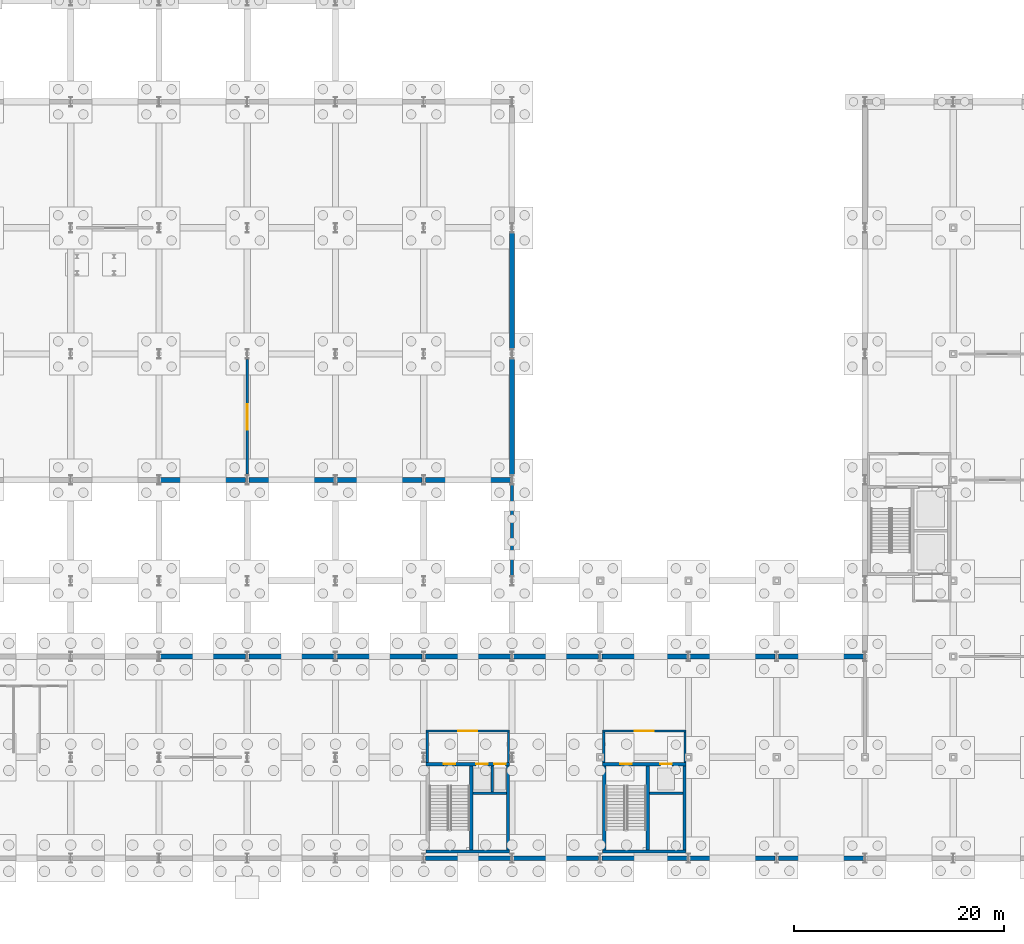
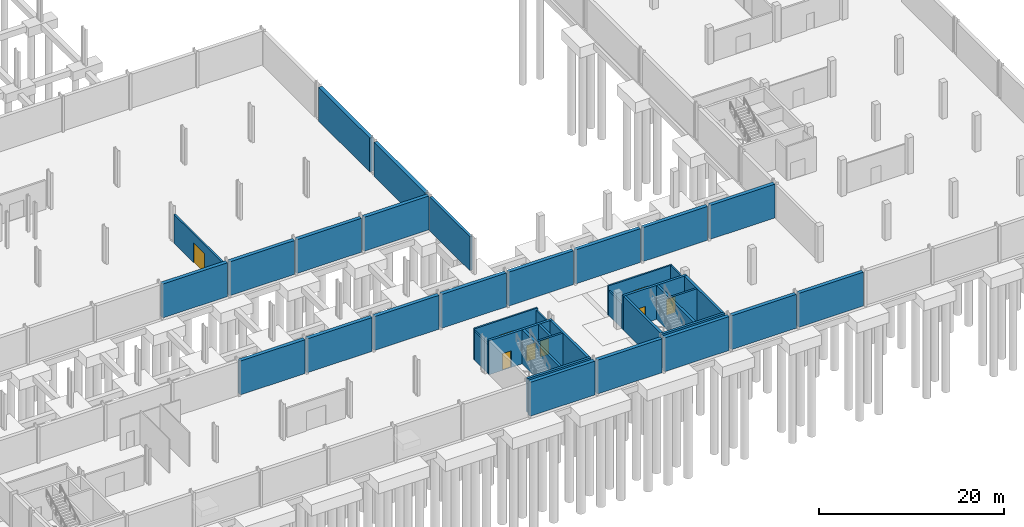
# One storey, part 21 of 29: 39 walls, 8 doors, 8 openings.
"""IFC4 building model written with IfcOpenShell, lengths in metres."""

from ifc_helpers import new_model, si_unit, direction, frame, frame_2d, origin, place, context, subcontext, project, spatial, rectangle, extrude, material, layer, layer_set, type_object, element, fill, save


model = new_model("IFC4")

# Units and contexts
model_context = context("Model", 3, precision=1e-05, world=origin(), true_north=direction((0.0, 1.0)))
body_context = subcontext(model_context, "Body", "Model", "MODEL_VIEW")
ifc_project = project(units=[si_unit("LENGTHUNIT", "METRE"), si_unit("AREAUNIT", "SQUARE_METRE"), si_unit("VOLUMEUNIT", "CUBIC_METRE"), si_unit("PLANEANGLEUNIT", "RADIAN"), si_unit("MASSUNIT", "GRAM", prefix="KILO")], contexts=[model_context])

# Site, building, storey
site_placement = place(None, origin())
site = spatial("IfcSite", under=ifc_project, at=site_placement, CompositionType="ELEMENT")
building_placement = place(site_placement, origin())
building = spatial("IfcBuilding", under=site, at=building_placement, Name="Veltarok Museum of Natural Sciences", CompositionType="ELEMENT")
storey_placement = place(building_placement, frame((0.0, 0.0, -4.800048828125)))
storey = spatial("IfcBuildingStorey", under=building, at=storey_placement, Name="B1", CompositionType="ELEMENT", Elevation=-4.800048828125)

# Wall, opening, door
ifc_material_1 = material(Name="Concrete C35/45", Category="concrete")
ifc_layer_1 = layer(ifc_material_1, 0.219970703125)
ifc_layer_set_1 = layer_set([ifc_layer_1], Name="Concrete C35/45")
wall_type_1 = type_object("IfcWallType", Name="Archive Compartment Partition 220", PredefinedType="PARTITIONING", material=ifc_layer_set_1)
wall_1_placement = place(storey_placement, frame((73.60009765625, 36.550048828125, 0.0), z_axis=(0.0, 0.0, 1.0), x_axis=(0.0, 1.0, 0.0)))
wall_1 = element("IfcWall", 1, at=wall_1_placement, inside=storey, type_object=wall_type_1, Name="Interior Partition B1-003", PredefinedType="PARTITIONING", context=body_context, shape_type="SweptSolid", body=[
    extrude(rectangle(XDim=10.89990234375, YDim=0.219970703125, at=frame_2d((5.449951171875, 0.0))), origin(), (0.0, 0.0, 1.0), 3.781982421875),
])
opening_1_placement = place(wall_1_placement, frame((4.25, 0.0, 0.0)))
opening_1 = element("IfcOpeningElement", 2, at=opening_1_placement, cuts=wall_1, Name="Opening D-B1-129", PredefinedType="OPENING", context=body_context, shape_type="SweptSolid", body=[
    extrude(rectangle(XDim=2.39990234375, YDim=2.60009765625, at=frame_2d((1.199951171875, 1.300048828125))), frame((0.0, 0.1201171875, 0.0), z_axis=(0.0, -1.0, 0.0), x_axis=(1.0, 0.0, 0.0)), (0.0, 0.0, 1.0), 0.239990234375),
])
ifc_material_2 = material(Name="Heavy fire-rated steel", Category="steel")
door_type_1 = type_object("IfcDoorType", Name="Archive Crate Double Vault Door 2400x2600", OperationType="NOTDEFINED", PredefinedType="DOOR", material=ifc_material_2)
door_1_placement = place(opening_1_placement, origin())
door_1 = element("IfcDoor", 3, at=door_1_placement, inside=storey, type_object=door_type_1, Name="Interior Door D-B1-129", OperationType="DOUBLE_DOOR_SINGLE_SWING", OverallHeight=2.60009765625, OverallWidth=2.39990234375, PredefinedType="DOOR", context=body_context, shape_type="SweptSolid", body=[
    extrude(rectangle(XDim=2.39990234375, YDim=2.60009765625, at=frame_2d((1.199951171875, 1.300048828125))), frame((0.0, 0.02490234375, 0.0), z_axis=(0.0, -1.0, 0.0), x_axis=(1.0, 0.0, 0.0)), (0.0, 0.0, 1.0), 0.050048828125),
])
fill(opening_1, door_1)

ifc_layer_2 = layer(ifc_material_1, 0.199951171875)
ifc_layer_set_2 = layer_set([ifc_layer_2], Name="Concrete C35/45")
wall_type_2 = type_object("IfcWallType", Name="Firefighting Lobby Compartment Wall 200", PredefinedType="SOLIDWALL", material=ifc_layer_set_2)
wall_2_placement = place(storey_placement, frame((90.6298828125, 12.10009765625, 0.0), z_axis=(0.0, 0.0, 1.0), x_axis=(1.0, 0.0, 0.0)))
wall_2 = element("IfcWall", 4, at=wall_2_placement, inside=storey, type_object=wall_type_2, Name="Firefighting Lobby Wall C2 B1 N", PredefinedType="SOLIDWALL", context=body_context, shape_type="SweptSolid", body=[
    extrude(rectangle(XDim=7.940185546875, YDim=0.199951171875, at=frame_2d((3.97021484375, 0.0))), origin(), (0.0, 0.0, 1.0), 4.132080078125),
])
opening_2_placement = place(wall_2_placement, frame((3.070068359375, 0.0, 0.0)))
opening_2 = element("IfcOpeningElement", 5, at=opening_2_placement, cuts=wall_2, Name="Opening D-B1-004", PredefinedType="OPENING", context=body_context, shape_type="SweptSolid", body=[
    extrude(rectangle(XDim=1.800048828125, YDim=2.199951171875, at=frame_2d((0.89990234375, 1.10009765625))), frame((0.0, 0.10986328125, 0.0), z_axis=(0.0, -1.0, 0.0), x_axis=(1.0, 0.0, 0.0)), (0.0, 0.0, 1.0), 0.219970703125),
])
ifc_material_3 = material(Name="Fire-rated steel and vision glass", Category="steel")
door_type_2 = type_object("IfcDoorType", Name="Fire Lobby Double Door 1800x2200", OperationType="NOTDEFINED", PredefinedType="DOOR", material=ifc_material_3)
door_2_placement = place(opening_2_placement, origin())
door_2 = element("IfcDoor", 6, at=door_2_placement, inside=storey, type_object=door_type_2, Name="Firefighting Lobby Entrance Door C2 B1", OperationType="DOUBLE_DOOR_SINGLE_SWING", OverallHeight=2.199951171875, OverallWidth=1.800048828125, PredefinedType="DOOR", context=body_context, shape_type="SweptSolid", body=[
    extrude(rectangle(XDim=1.800048828125, YDim=2.199951171875, at=frame_2d((0.89990234375, 1.10009765625))), frame((0.0, 0.02490234375, 0.0), z_axis=(0.0, -1.0, 0.0), x_axis=(1.0, 0.0, 0.0)), (0.0, 0.0, 1.0), 0.050048828125),
])
fill(opening_2, door_2)

# Walls
for number, where, z_axis, x_axis, name in (
    (7, (90.72998046875, 9.10009765625, 0.0), (0.0, 0.0, 1.0), (0.0, 1.0, 0.0), "Firefighting Lobby Wall C2 B1 W"),
    (8, (98.469970703125, 12.0, 0.0), (0.0, 0.0, 1.0), (0.0, -1.0, 0.0), "Firefighting Lobby Wall C2 B1 E"),
):
    element("IfcWall", number, at=place(storey_placement, frame(where, z_axis=z_axis, x_axis=x_axis)), inside=storey, type_object=wall_type_2, Name=name, PredefinedType="SOLIDWALL", context=body_context, shape_type="SweptSolid", body=[
        extrude(rectangle(XDim=2.89990234375, YDim=0.199951171875, at=frame_2d((1.449951171875, 0.0))), origin(), (0.0, 0.0, 1.0), 3.83203125),
    ])

# Wall, opening, door
wall_3_placement = place(storey_placement, frame((107.429931640625, 12.10009765625, 0.0), z_axis=(0.0, 0.0, 1.0), x_axis=(1.0, 0.0, 0.0)))
wall_3 = element("IfcWall", 9, at=wall_3_placement, inside=storey, type_object=wall_type_2, Name="Firefighting Lobby Wall C4 B1 N", PredefinedType="SOLIDWALL", context=body_context, shape_type="SweptSolid", body=[
    extrude(rectangle(XDim=7.940185546875, YDim=0.199951171875, at=frame_2d((3.97021484375, 0.0))), origin(), (0.0, 0.0, 1.0), 3.93212890625),
])
opening_3_placement = place(wall_3_placement, frame((3.070068359375, 0.0, 0.0)))
opening_3 = element("IfcOpeningElement", 10, at=opening_3_placement, cuts=wall_3, Name="Opening D-B1-008", PredefinedType="OPENING", context=body_context, shape_type="SweptSolid", body=[
    extrude(rectangle(XDim=1.800048828125, YDim=2.199951171875, at=frame_2d((0.89990234375, 1.10009765625))), frame((0.0, 0.10986328125, 0.0), z_axis=(0.0, -1.0, 0.0), x_axis=(1.0, 0.0, 0.0)), (0.0, 0.0, 1.0), 0.219970703125),
])
door_3_placement = place(opening_3_placement, origin())
door_3 = element("IfcDoor", 11, at=door_3_placement, inside=storey, type_object=door_type_2, Name="Firefighting Lobby Entrance Door C4 B1", OperationType="DOUBLE_DOOR_SINGLE_SWING", OverallHeight=2.199951171875, OverallWidth=1.800048828125, PredefinedType="DOOR", context=body_context, shape_type="SweptSolid", body=[
    extrude(rectangle(XDim=1.800048828125, YDim=2.199951171875, at=frame_2d((0.89990234375, 1.10009765625))), frame((0.0, 0.02490234375, 0.0), z_axis=(0.0, -1.0, 0.0), x_axis=(1.0, 0.0, 0.0)), (0.0, 0.0, 1.0), 0.050048828125),
])
fill(opening_3, door_3)

# Walls
wall_4_placement = place(storey_placement, frame((107.530029296875, 9.10009765625, 0.0), z_axis=(0.0, 0.0, 1.0), x_axis=(0.0, 1.0, 0.0)))
element("IfcWall", 12, at=wall_4_placement, inside=storey, type_object=wall_type_2, Name="Firefighting Lobby Wall C4 B1 W", PredefinedType="SOLIDWALL", context=body_context, shape_type="SweptSolid", body=[
    extrude(rectangle(XDim=2.89990234375, YDim=0.199951171875, at=frame_2d((1.449951171875, 0.0))), origin(), (0.0, 0.0, 1.0), 3.281982421875),
])
wall_5_placement = place(storey_placement, frame((115.27001953125, 12.0, 0.0), z_axis=(0.0, 0.0, 1.0), x_axis=(0.0, -1.0, 0.0)))
element("IfcWall", 13, at=wall_5_placement, inside=storey, type_object=wall_type_2, Name="Firefighting Lobby Wall C4 B1 E", PredefinedType="SOLIDWALL", context=body_context, shape_type="SweptSolid", body=[
    extrude(rectangle(XDim=2.89990234375, YDim=0.199951171875, at=frame_2d((1.449951171875, 0.0))), origin(), (0.0, 0.0, 1.0), 3.93212890625),
])
ifc_material_4 = material(Name="Concrete C40/50", Category="concrete")
ifc_layer_3 = layer(ifc_material_4, 0.320068359375)
ifc_layer_set_3 = layer_set([ifc_layer_3], Name="Concrete C40/50")
wall_type_3 = type_object("IfcWallType", Name="Interior Lateral Concrete Shear Wall 320", PredefinedType="SHEAR", material=ifc_layer_set_3)
wall_6_placement = place(storey_placement, frame((98.800048828125, 26.85009765625, 0.0), z_axis=(0.0, 0.0, 1.0), x_axis=(0.0, 1.0, 0.0)))
element("IfcWall", 14, at=wall_6_placement, inside=storey, type_object=wall_type_3, Name="Interior Shear Wall SW1 B1", PredefinedType="SHEAR", context=body_context, shape_type="SweptSolid", body=[
    extrude(rectangle(XDim=8.699951171875, YDim=0.320068359375, at=frame_2d((4.35009765625, 0.0))), origin(), (0.0, 0.0, 1.0), 4.5),
])
ifc_layer_4 = layer(ifc_material_4, 0.25)
ifc_layer_set_4 = layer_set([ifc_layer_4], Name="Concrete C40/50")
wall_type_4 = type_object("IfcWallType", Name="Lift Shaft Concrete Shear Wall 250", PredefinedType="SHEAR", material=ifc_layer_set_4)
wall_7_placement = place(storey_placement, frame((96.9150390625, 6.300048828125, 0.0), z_axis=(0.0, 0.0, 1.0), x_axis=(0.0, 1.0, 0.0)))
element("IfcWall", 15, at=wall_7_placement, inside=storey, type_object=wall_type_4, Name="Lift Shaft Divider Wall C2 B1", PredefinedType="SHEAR", context=body_context, shape_type="SweptSolid", body=[
    extrude(rectangle(XDim=2.5, YDim=0.25, at=frame_2d((1.25, 0.0))), origin(), (0.0, 0.0, 1.0), 4.5),
])
for number, where, z_axis, x_axis, name in (
    (16, (95.070068359375, 6.175048828125, 0.0), (0.0, 0.0, 1.0), (1.0, 0.0, 0.0), "Lift Shaft Back Wall C2 B1"),
    (17, (111.8701171875, 6.175048828125, 0.0), (0.0, 0.0, 1.0), (1.0, 0.0, 0.0), "Lift Shaft Back Wall C4 B1"),
):
    element("IfcWall", number, at=place(storey_placement, frame(where, z_axis=z_axis, x_axis=x_axis)), inside=storey, type_object=wall_type_4, Name=name, PredefinedType="SHEAR", context=body_context, shape_type="SweptSolid", body=[
        extrude(rectangle(XDim=3.199951171875, YDim=0.25, at=frame_2d((1.60009765625, 0.0))), origin(), (0.0, 0.0, 1.0), 4.5),
    ])
ifc_layer_5 = layer(ifc_material_4, 0.300048828125)
ifc_layer_set_5 = layer_set([ifc_layer_5], Name="Concrete C40/50")
wall_type_5 = type_object("IfcWallType", Name="Protected Core Shear Wall 300", PredefinedType="SHEAR", material=ifc_layer_set_5)
wall_8_placement = place(storey_placement, frame((90.6298828125, 0.64990234375, 0.0), z_axis=(0.0, 0.0, 1.0), x_axis=(1.0, 0.0, 0.0)))
element("IfcWall", 18, at=wall_8_placement, inside=storey, type_object=wall_type_5, Name="Core Shear Wall C2 B1 S", PredefinedType="SHEAR", context=body_context, shape_type="SweptSolid", body=[
    extrude(rectangle(XDim=7.940185546875, YDim=0.300048828125, at=frame_2d((3.97021484375, 0.0))), origin(), (0.0, 0.0, 1.0), 4.5),
])

# Wall, openings, doors
wall_9_placement = place(storey_placement, frame((98.570068359375, 8.949951171875, 0.0), z_axis=(0.0, 0.0, 1.0), x_axis=(-1.0, 0.0, 0.0)))
wall_9 = element("IfcWall", 19, at=wall_9_placement, inside=storey, type_object=wall_type_5, Name="Core Shear Wall C2 B1 N", PredefinedType="SHEAR", context=body_context, shape_type="SweptSolid", body=[
    extrude(rectangle(XDim=7.940185546875, YDim=0.300048828125, at=frame_2d((3.97021484375, 0.0))), origin(), (0.0, 0.0, 1.0), 4.5),
])
opening_4_placement = place(wall_9_placement, frame((5.169921875, 0.0, 0.0)))
opening_4 = element("IfcOpeningElement", 20, at=opening_4_placement, cuts=wall_9, Name="Opening D-B1-003", PredefinedType="OPENING", context=body_context, shape_type="SweptSolid", body=[
    extrude(rectangle(XDim=1.10009765625, YDim=2.199951171875, at=frame_2d((0.550048828125, 1.10009765625))), frame((0.0, 0.16015625, 0.0), z_axis=(0.0, -1.0, 0.0), x_axis=(1.0, 0.0, 0.0)), (0.0, 0.0, 1.0), 0.320068359375),
])
opening_5_placement = place(wall_9_placement, frame((2.090087890625, 0.0, 0.0)))
opening_5 = element("IfcOpeningElement", 21, at=opening_5_placement, cuts=wall_9, Name="Opening LD-B1-LP-02", PredefinedType="OPENING", context=body_context, shape_type="SweptSolid", body=[
    extrude(rectangle(XDim=1.10009765625, YDim=2.10009765625, at=frame_2d((0.550048828125, 1.050048828125))), frame((0.0, 0.16015625, 0.0), z_axis=(0.0, -1.0, 0.0), x_axis=(1.0, 0.0, 0.0)), (0.0, 0.0, 1.0), 0.320068359375),
])
opening_6_placement = place(wall_9_placement, frame((0.364990234375, 0.0, 0.0)))
opening_6 = element("IfcOpeningElement", 22, at=opening_6_placement, cuts=wall_9, Name="Opening LD-B1-FL-02", PredefinedType="OPENING", context=body_context, shape_type="SweptSolid", body=[
    extrude(rectangle(XDim=1.10009765625, YDim=2.10009765625, at=frame_2d((0.550048828125, 1.050048828125))), frame((0.0, 0.16015625, 0.0), z_axis=(0.0, -1.0, 0.0), x_axis=(1.0, 0.0, 0.0)), (0.0, 0.0, 1.0), 0.320068359375),
])
ifc_material_5 = material(Name="Fire-rated painted steel", Category="steel")
door_type_3 = type_object("IfcDoorType", Name="Fire Core Single Escape Door 1100x2200", OperationType="NOTDEFINED", PredefinedType="DOOR", material=ifc_material_5)
door_4_placement = place(opening_4_placement, origin())
door_4 = element("IfcDoor", 23, at=door_4_placement, inside=storey, type_object=door_type_3, Name="Protected Stair Door ST-02 B1", OperationType="SINGLE_SWING_RIGHT", OverallHeight=2.199951171875, OverallWidth=1.10009765625, PredefinedType="DOOR", context=body_context, shape_type="SweptSolid", body=[
    extrude(rectangle(XDim=1.10009765625, YDim=2.199951171875, at=frame_2d((0.550048828125, 1.10009765625))), frame((0.0, 0.02490234375, 0.0), z_axis=(0.0, -1.0, 0.0), x_axis=(1.0, 0.0, 0.0)), (0.0, 0.0, 1.0), 0.050048828125),
])
fill(opening_4, door_4)
ifc_material_6 = material(Name="Brushed stainless steel", Category="steel")
door_type_4 = type_object("IfcDoorType", Name="Passenger and Firefighting Lift Landing Door 1100x2100", OperationType="SLIDING_TO_LEFT", PredefinedType="DOOR", material=ifc_material_6)
door_5_placement = place(opening_5_placement, origin())
door_5 = element("IfcDoor", 24, at=door_5_placement, inside=storey, type_object=door_type_4, Name="Sliding Lift Landing Door LD-B1-LP-02", OperationType="SLIDING_TO_LEFT", OverallHeight=2.10009765625, OverallWidth=1.10009765625, PredefinedType="DOOR", context=body_context, shape_type="SweptSolid", body=[
    extrude(rectangle(XDim=1.10009765625, YDim=2.10009765625, at=frame_2d((0.550048828125, 1.050048828125))), frame((0.0, 0.02490234375, 0.0), z_axis=(0.0, -1.0, 0.0), x_axis=(1.0, 0.0, 0.0)), (0.0, 0.0, 1.0), 0.050048828125),
])
fill(opening_5, door_5)
door_6_placement = place(opening_6_placement, origin())
door_6 = element("IfcDoor", 25, at=door_6_placement, inside=storey, type_object=door_type_4, Name="Sliding Lift Landing Door LD-B1-FL-02", OperationType="SLIDING_TO_LEFT", OverallHeight=2.10009765625, OverallWidth=1.10009765625, PredefinedType="DOOR", context=body_context, shape_type="SweptSolid", body=[
    extrude(rectangle(XDim=1.10009765625, YDim=2.10009765625, at=frame_2d((0.550048828125, 1.050048828125))), frame((0.0, 0.02490234375, 0.0), z_axis=(0.0, -1.0, 0.0), x_axis=(1.0, 0.0, 0.0)), (0.0, 0.0, 1.0), 0.050048828125),
])
fill(opening_6, door_6)

# Walls
for number, where, z_axis, x_axis, name in (
    (26, (98.419921875, 0.800048828125, 0.0), (0.0, 0.0, 1.0), (0.0, 1.0, 0.0), "Core Shear Wall C2 B1 E"),
    (27, (94.919921875, 0.800048828125, 0.0), (0.0, 0.0, 1.0), (0.0, 1.0, 0.0), "Core Shear Wall C2 B1 DIV"),
):
    element("IfcWall", number, at=place(storey_placement, frame(where, z_axis=z_axis, x_axis=x_axis)), inside=storey, type_object=wall_type_5, Name=name, PredefinedType="SHEAR", context=body_context, shape_type="SweptSolid", body=[
        extrude(rectangle(XDim=8.0, YDim=0.300048828125, at=frame_2d((4.0, 0.0))), origin(), (0.0, 0.0, 1.0), 4.5),
    ])
wall_10_placement = place(storey_placement, frame((107.429931640625, 0.64990234375, 0.0), z_axis=(0.0, 0.0, 1.0), x_axis=(1.0, 0.0, 0.0)))
element("IfcWall", 28, at=wall_10_placement, inside=storey, type_object=wall_type_5, Name="Core Shear Wall C4 B1 S", PredefinedType="SHEAR", context=body_context, shape_type="SweptSolid", body=[
    extrude(rectangle(XDim=7.940185546875, YDim=0.300048828125, at=frame_2d((3.97021484375, 0.0))), origin(), (0.0, 0.0, 1.0), 4.5),
])

# Wall, openings, doors
wall_11_placement = place(storey_placement, frame((115.3701171875, 8.949951171875, 0.0), z_axis=(0.0, 0.0, 1.0), x_axis=(-1.0, 0.0, 0.0)))
wall_11 = element("IfcWall", 29, at=wall_11_placement, inside=storey, type_object=wall_type_5, Name="Core Shear Wall C4 B1 N", PredefinedType="SHEAR", context=body_context, shape_type="SweptSolid", body=[
    extrude(rectangle(XDim=7.940185546875, YDim=0.300048828125, at=frame_2d((3.97021484375, 0.0))), origin(), (0.0, 0.0, 1.0), 4.5),
])
opening_7_placement = place(wall_11_placement, frame((5.169921875, 0.0, 0.0)))
opening_7 = element("IfcOpeningElement", 30, at=opening_7_placement, cuts=wall_11, Name="Opening D-B1-007", PredefinedType="OPENING", context=body_context, shape_type="SweptSolid", body=[
    extrude(rectangle(XDim=1.10009765625, YDim=2.199951171875, at=frame_2d((0.550048828125, 1.10009765625))), frame((0.0, 0.16015625, 0.0), z_axis=(0.0, -1.0, 0.0), x_axis=(1.0, 0.0, 0.0)), (0.0, 0.0, 1.0), 0.320068359375),
])
opening_8_placement = place(wall_11_placement, frame((1.35009765625, 0.0, 0.0)))
opening_8 = element("IfcOpeningElement", 31, at=opening_8_placement, cuts=wall_11, Name="Opening LD-B1-LP-04", PredefinedType="OPENING", context=body_context, shape_type="SweptSolid", body=[
    extrude(rectangle(XDim=1.10009765625, YDim=2.10009765625, at=frame_2d((0.550048828125, 1.050048828125))), frame((0.0, 0.16015625, 0.0), z_axis=(0.0, -1.0, 0.0), x_axis=(1.0, 0.0, 0.0)), (0.0, 0.0, 1.0), 0.320068359375),
])
door_7_placement = place(opening_7_placement, origin())
door_7 = element("IfcDoor", 32, at=door_7_placement, inside=storey, type_object=door_type_3, Name="Protected Stair Door ST-04 B1", OperationType="SINGLE_SWING_RIGHT", OverallHeight=2.199951171875, OverallWidth=1.10009765625, PredefinedType="DOOR", context=body_context, shape_type="SweptSolid", body=[
    extrude(rectangle(XDim=1.10009765625, YDim=2.199951171875, at=frame_2d((0.550048828125, 1.10009765625))), frame((0.0, 0.02490234375, 0.0), z_axis=(0.0, -1.0, 0.0), x_axis=(1.0, 0.0, 0.0)), (0.0, 0.0, 1.0), 0.050048828125),
])
fill(opening_7, door_7)
door_8_placement = place(opening_8_placement, origin())
door_8 = element("IfcDoor", 33, at=door_8_placement, inside=storey, type_object=door_type_4, Name="Sliding Lift Landing Door LD-B1-LP-04", OperationType="SLIDING_TO_LEFT", OverallHeight=2.10009765625, OverallWidth=1.10009765625, PredefinedType="DOOR", context=body_context, shape_type="SweptSolid", body=[
    extrude(rectangle(XDim=1.10009765625, YDim=2.10009765625, at=frame_2d((0.550048828125, 1.050048828125))), frame((0.0, 0.02490234375, 0.0), z_axis=(0.0, -1.0, 0.0), x_axis=(1.0, 0.0, 0.0)), (0.0, 0.0, 1.0), 0.050048828125),
])
fill(opening_8, door_8)

# Walls
for number, where, z_axis, x_axis, name in (
    (34, (107.580078125, 8.800048828125, 0.0), (0.0, 0.0, 1.0), (0.0, -1.0, 0.0), "Core Shear Wall C4 B1 W"),
    (35, (115.219970703125, 0.800048828125, 0.0), (0.0, 0.0, 1.0), (0.0, 1.0, 0.0), "Core Shear Wall C4 B1 E"),
    (36, (111.719970703125, 0.800048828125, 0.0), (0.0, 0.0, 1.0), (0.0, 1.0, 0.0), "Core Shear Wall C4 B1 DIV"),
):
    element("IfcWall", number, at=place(storey_placement, frame(where, z_axis=z_axis, x_axis=x_axis)), inside=storey, type_object=wall_type_5, Name=name, PredefinedType="SHEAR", context=body_context, shape_type="SweptSolid", body=[
        extrude(rectangle(XDim=8.0, YDim=0.300048828125, at=frame_2d((4.0, 0.0))), origin(), (0.0, 0.0, 1.0), 4.5),
    ])
ifc_layer_6 = layer(ifc_material_1, 0.449951171875)
ifc_layer_set_6 = layer_set([ifc_layer_6], Name="Concrete C35/45")
wall_type_6 = type_object("IfcWallType", Name="Tanked Basement Retaining Wall 450", PredefinedType="USERDEFINED", material=ifc_layer_set_6)
wall_12_placement = place(storey_placement, frame((65.35009765625, 19.199951171875, 0.0), z_axis=(0.0, 0.0, 1.0), x_axis=(1.0, 0.0, 0.0)))
element("IfcWall", 37, at=wall_12_placement, inside=storey, type_object=wall_type_6, Name="Basement Retaining Wall B1-005", ObjectType="RETAININGWALL", PredefinedType="USERDEFINED", context=body_context, shape_type="SweptSolid", body=[
    extrude(rectangle(XDim=8.099853515625, YDim=0.449951171875, at=frame_2d((4.0498046875, 0.0))), origin(), (0.0, 0.0, 1.0), 4.47998046875),
])
for number, where, z_axis, x_axis, name in (
    (38, (73.75, 19.199951171875, 0.0), (0.0, 0.0, 1.0), (1.0, 0.0, 0.0), "Basement Retaining Wall B1-006"),
    (39, (82.14990234375, 19.199951171875, 0.0), (0.0, 0.0, 1.0), (1.0, 0.0, 0.0), "Basement Retaining Wall B1-007"),
):
    element("IfcWall", number, at=place(storey_placement, frame(where, z_axis=z_axis, x_axis=x_axis)), inside=storey, type_object=wall_type_6, Name=name, ObjectType="RETAININGWALL", PredefinedType="USERDEFINED", context=body_context, shape_type="SweptSolid", body=[
        extrude(rectangle(XDim=8.10009765625, YDim=0.449951171875, at=frame_2d((4.050048828125, 0.0))), origin(), (0.0, 0.0, 1.0), 4.47998046875),
    ])
wall_13_placement = place(storey_placement, frame((90.550048828125, 19.199951171875, 0.0), z_axis=(0.0, 0.0, 1.0), x_axis=(1.0, 0.0, 0.0)))
element("IfcWall", 40, at=wall_13_placement, inside=storey, type_object=wall_type_6, Name="Basement Retaining Wall B1-008", ObjectType="RETAININGWALL", PredefinedType="USERDEFINED", context=body_context, shape_type="SweptSolid", body=[
    extrude(rectangle(XDim=8.099853515625, YDim=0.449951171875, at=frame_2d((4.0498046875, 0.0))), origin(), (0.0, 0.0, 1.0), 4.47998046875),
])
wall_14_placement = place(storey_placement, frame((98.949951171875, 19.199951171875, 0.0), z_axis=(0.0, 0.0, 1.0), x_axis=(1.0, 0.0, 0.0)))
element("IfcWall", 41, at=wall_14_placement, inside=storey, type_object=wall_type_6, Name="Basement Retaining Wall B1-009", ObjectType="RETAININGWALL", PredefinedType="USERDEFINED", context=body_context, shape_type="SweptSolid", body=[
    extrude(rectangle(XDim=8.10009765625, YDim=0.449951171875, at=frame_2d((4.050048828125, 0.0))), origin(), (0.0, 0.0, 1.0), 4.47998046875),
])
wall_15_placement = place(storey_placement, frame((107.35009765625, 19.199951171875, 0.0), z_axis=(0.0, 0.0, 1.0), x_axis=(1.0, 0.0, 0.0)))
element("IfcWall", 42, at=wall_15_placement, inside=storey, type_object=wall_type_6, Name="Basement Retaining Wall B1-010", ObjectType="RETAININGWALL", PredefinedType="USERDEFINED", context=body_context, shape_type="SweptSolid", body=[
    extrude(rectangle(XDim=8.099853515625, YDim=0.449951171875, at=frame_2d((4.0498046875, 0.0))), origin(), (0.0, 0.0, 1.0), 4.47998046875),
])
for number, where, z_axis, x_axis, name in (
    (43, (115.75, 19.199951171875, 0.0), (0.0, 0.0, 1.0), (1.0, 0.0, 0.0), "Basement Retaining Wall B1-011"),
    (44, (124.14990234375, 19.199951171875, 0.0), (0.0, 0.0, 1.0), (1.0, 0.0, 0.0), "Basement Retaining Wall B1-012"),
    (45, (132.25, 0.0, 0.0), (0.0, 0.0, 1.0), (-1.0, 0.0, 0.0), "Basement Retaining Wall B1-033"),
    (46, (123.85009765625, 0.0, 0.0), (0.0, 0.0, 1.0), (-1.0, 0.0, 0.0), "Basement Retaining Wall B1-034"),
):
    element("IfcWall", number, at=place(storey_placement, frame(where, z_axis=z_axis, x_axis=x_axis)), inside=storey, type_object=wall_type_6, Name=name, ObjectType="RETAININGWALL", PredefinedType="USERDEFINED", context=body_context, shape_type="SweptSolid", body=[
        extrude(rectangle(XDim=8.10009765625, YDim=0.449951171875, at=frame_2d((4.050048828125, 0.0))), origin(), (0.0, 0.0, 1.0), 4.47998046875),
    ])
wall_16_placement = place(storey_placement, frame((115.449951171875, 0.0, 0.0), z_axis=(0.0, 0.0, 1.0), x_axis=(-1.0, 0.0, 0.0)))
element("IfcWall", 47, at=wall_16_placement, inside=storey, type_object=wall_type_6, Name="Basement Retaining Wall B1-035", ObjectType="RETAININGWALL", PredefinedType="USERDEFINED", context=body_context, shape_type="SweptSolid", body=[
    extrude(rectangle(XDim=8.099853515625, YDim=0.449951171875, at=frame_2d((4.0498046875, 0.0))), origin(), (0.0, 0.0, 1.0), 4.47998046875),
])
wall_17_placement = place(storey_placement, frame((107.050048828125, 0.0, 0.0), z_axis=(0.0, 0.0, 1.0), x_axis=(-1.0, 0.0, 0.0)))
element("IfcWall", 48, at=wall_17_placement, inside=storey, type_object=wall_type_6, Name="Basement Retaining Wall B1-036", ObjectType="RETAININGWALL", PredefinedType="USERDEFINED", context=body_context, shape_type="SweptSolid", body=[
    extrude(rectangle(XDim=8.10009765625, YDim=0.449951171875, at=frame_2d((4.050048828125, 0.0))), origin(), (0.0, 0.0, 1.0), 4.47998046875),
])
wall_18_placement = place(storey_placement, frame((98.64990234375, 0.0, 0.0), z_axis=(0.0, 0.0, 1.0), x_axis=(-1.0, 0.0, 0.0)))
element("IfcWall", 49, at=wall_18_placement, inside=storey, type_object=wall_type_6, Name="Basement Retaining Wall B1-037", ObjectType="RETAININGWALL", PredefinedType="USERDEFINED", context=body_context, shape_type="SweptSolid", body=[
    extrude(rectangle(XDim=8.099853515625, YDim=0.449951171875, at=frame_2d((4.0498046875, 0.0))), origin(), (0.0, 0.0, 1.0), 4.47998046875),
])
for number, where, z_axis, x_axis, name in (
    (50, (98.800048828125, 59.550048828125, 0.0), (0.0, 0.0, 1.0), (0.0, -1.0, 0.0), "Basement Retaining Wall B1-056"),
    (51, (98.800048828125, 47.550048828125, 0.0), (0.0, 0.0, 1.0), (0.0, -1.0, 0.0), "Basement Retaining Wall B1-057"),
):
    element("IfcWall", number, at=place(storey_placement, frame(where, z_axis=z_axis, x_axis=x_axis)), inside=storey, type_object=wall_type_6, Name=name, ObjectType="RETAININGWALL", PredefinedType="USERDEFINED", context=body_context, shape_type="SweptSolid", body=[
        extrude(rectangle(XDim=11.10009765625, YDim=0.449951171875, at=frame_2d((5.550048828125, 0.0))), origin(), (0.0, 0.0, 1.0), 4.47998046875),
    ])
wall_19_placement = place(storey_placement, frame((98.64990234375, 36.0, 0.0), z_axis=(0.0, 0.0, 1.0), x_axis=(-1.0, 0.0, 0.0)))
element("IfcWall", 52, at=wall_19_placement, inside=storey, type_object=wall_type_6, Name="Basement Retaining Wall B1-058", ObjectType="RETAININGWALL", PredefinedType="USERDEFINED", context=body_context, shape_type="SweptSolid", body=[
    extrude(rectangle(XDim=8.099853515625, YDim=0.449951171875, at=frame_2d((4.0498046875, 0.0))), origin(), (0.0, 0.0, 1.0), 4.47998046875),
])
for number, where, z_axis, x_axis, name in (
    (53, (90.25, 36.0, 0.0), (0.0, 0.0, 1.0), (-1.0, 0.0, 0.0), "Basement Retaining Wall B1-059"),
    (54, (81.85009765625, 36.0, 0.0), (0.0, 0.0, 1.0), (-1.0, 0.0, 0.0), "Basement Retaining Wall B1-060"),
):
    element("IfcWall", number, at=place(storey_placement, frame(where, z_axis=z_axis, x_axis=x_axis)), inside=storey, type_object=wall_type_6, Name=name, ObjectType="RETAININGWALL", PredefinedType="USERDEFINED", context=body_context, shape_type="SweptSolid", body=[
        extrude(rectangle(XDim=8.10009765625, YDim=0.449951171875, at=frame_2d((4.050048828125, 0.0))), origin(), (0.0, 0.0, 1.0), 4.47998046875),
    ])
wall_20_placement = place(storey_placement, frame((73.449951171875, 36.0, 0.0), z_axis=(0.0, 0.0, 1.0), x_axis=(-1.0, 0.0, 0.0)))
element("IfcWall", 55, at=wall_20_placement, inside=storey, type_object=wall_type_6, Name="Basement Retaining Wall B1-061", ObjectType="RETAININGWALL", PredefinedType="USERDEFINED", context=body_context, shape_type="SweptSolid", body=[
    extrude(rectangle(XDim=8.099853515625, YDim=0.449951171875, at=frame_2d((4.0498046875, 0.0))), origin(), (0.0, 0.0, 1.0), 4.47998046875),
])

save(model, "model.ifc")
